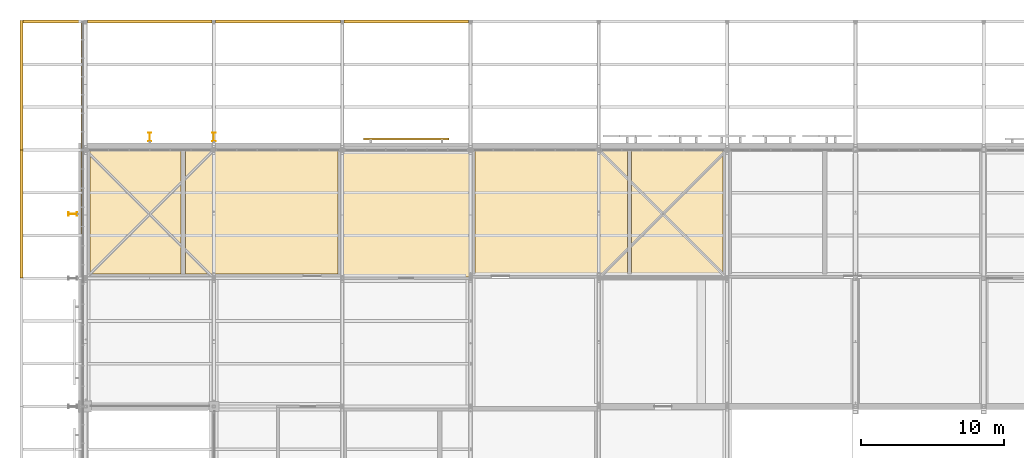
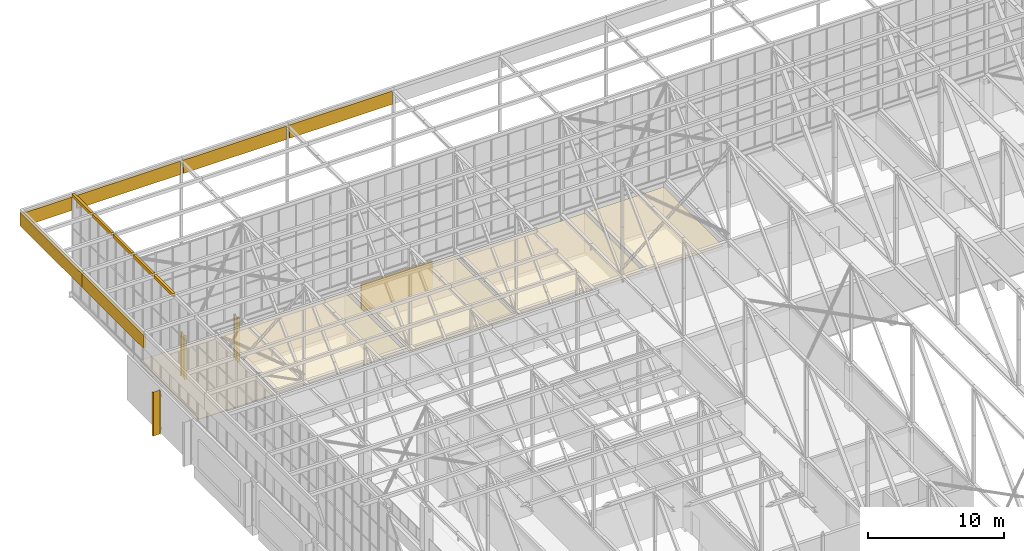
# One storey, part 642 of 646: 16 coverings, 4 shading devices.
"""IFC4 building model written with IfcOpenShell, lengths in metres."""

import ifcopenshell
import ifcopenshell.guid

model = None  # the IFC model being written
_history = None  # IfcOwnerHistory: only IFC2X3 demands one
_inside = {}  # id of a spatial element -> (the spatial element, [elements in it])
_under = {}  # id of a project, library or spatial element -> (it, [spatial elements below it])
_declared = {}  # id of a project -> (the project, [libraries it declares])
_typed = {}  # id of a type object -> (the type object, [elements of that type])
_made_of = {}  # id of a material, layer set ... -> (it, [elements and type objects made of it])


def new_model(schema):
    """Start an empty IFC model of exactly this schema.

    Asked for "IFC4X3", IfcOpenShell would pick the latest addendum, in which some entities
    have other attributes; the version numbers below select the first issue.
    IFC2X3 requires an IfcOwnerHistory on every rooted entity: one is made here for all.
    """
    global model, _history
    if schema == "IFC4X3":
        model = ifcopenshell.file(schema_version=(4, 3, 0, 0))
    else:
        model = ifcopenshell.file(schema=schema)
    _inside.clear()
    _under.clear()
    _declared.clear()
    _typed.clear()
    _made_of.clear()
    _history = None
    if model.schema == "IFC2X3":
        org = make("IfcOrganization", Name="unknown")
        user = make(
            "IfcPersonAndOrganization",
            ThePerson=make("IfcPerson", FamilyName="unknown"),
            TheOrganization=org,
        )
        app = make(
            "IfcApplication",
            ApplicationDeveloper=org,
            Version="unknown",
            ApplicationFullName="unknown",
            ApplicationIdentifier="unknown",
        )
        _history = make(
            "IfcOwnerHistory",
            OwningUser=user,
            OwningApplication=app,
            ChangeAction="ADDED",
            CreationDate=0,
        )
    return model


def make(cls, **values):
    """One entity of the class cls with the attributes given. An attribute that is None is left unset."""
    return model.create_entity(
        cls, **{name: value for name, value in values.items() if value is not None}
    )


def rooted(cls, **values):
    """An entity with a GlobalId (a new one), such as an element, a storey or a relation."""
    return make(cls, GlobalId=ifcopenshell.guid.new(), OwnerHistory=_history, **values)


def si_unit(unit_type, name, prefix=None):
    """IfcSIUnit, for example si_unit("LENGTHUNIT", "METRE", prefix="MILLI")."""
    return make("IfcSIUnit", UnitType=unit_type, Prefix=prefix, Name=name)


def assignment(units):
    """IfcUnitAssignment: the units of a project."""
    return None if units is None else make("IfcUnitAssignment", Units=units)


def point(xyz):
    """IfcCartesianPoint."""
    return None if xyz is None else make("IfcCartesianPoint", Coordinates=xyz)


def direction(xyz):
    """IfcDirection."""
    return None if xyz is None else make("IfcDirection", DirectionRatios=xyz)


def frame(location, z_axis=None, x_axis=None):
    """IfcAxis2Placement3D, a coordinate frame: its origin and axes. An axis left out is left unset."""
    return make(
        "IfcAxis2Placement3D",
        Location=point(location),
        Axis=direction(z_axis),
        RefDirection=direction(x_axis),
    )


def frame_2d(location, x_axis=None):
    """IfcAxis2Placement2D, a coordinate frame in the plane: its origin and x axis."""
    return make(
        "IfcAxis2Placement2D", Location=point(location), RefDirection=direction(x_axis)
    )


def origin():
    """The frame at (0, 0, 0) with its axes left unset."""
    return frame((0.0, 0.0, 0.0))


def origin_2d():
    """The frame at (0, 0) in the plane with its x axis left unset."""
    return frame_2d((0.0, 0.0))


def place(relative_to, where):
    """IfcLocalPlacement: puts the frame where relative to a parent placement (None: the world)."""
    return make(
        "IfcLocalPlacement", PlacementRelTo=relative_to, RelativePlacement=where
    )


def context(
    kind, dimensions, precision=None, world=None, true_north=None, identifier=None
):
    """IfcGeometricRepresentationContext, for example the 3D "Model" context."""
    return make(
        "IfcGeometricRepresentationContext",
        ContextIdentifier=identifier,
        ContextType=kind,
        CoordinateSpaceDimension=dimensions,
        Precision=precision,
        WorldCoordinateSystem=world,
        TrueNorth=true_north,
    )


def subcontext(parent, identifier, kind, view, scale=None):
    """IfcGeometricRepresentationSubContext, for example "Body" below "Model"."""
    return make(
        "IfcGeometricRepresentationSubContext",
        ContextIdentifier=identifier,
        ContextType=kind,
        ParentContext=parent,
        TargetScale=scale,
        TargetView=view,
    )


def project(units=None, contexts=None):
    """IfcProject with its units and contexts."""
    return rooted(
        "IfcProject",
        Name="project",
        RepresentationContexts=contexts,
        UnitsInContext=assignment(units),
    )


def spatial(cls, under=None, at=None, **own):
    """A site, building, storey or space (cls), placed at a placement, below another one or the project."""
    s = rooted(cls, ObjectPlacement=at, **own)
    if under is not None:
        _under.setdefault(under.id(), (under, []))[1].append(s)
    return s


def polyline(points):
    """IfcPolyline through the points."""
    return make("IfcPolyline", Points=[point(p) for p in points])


def profile(cls, at=None, kind="AREA", **sizes):
    """A parametric profile (cls). Its sizes go by their IFC names, for example OverallWidth=200.0."""
    return make(cls, ProfileType=kind, Position=at, **sizes)


def rectangle(**sizes):
    """IfcRectangleProfileDef."""
    return profile("IfcRectangleProfileDef", **sizes)


def i_section(**sizes):
    """IfcIShapeProfileDef."""
    return profile("IfcIShapeProfileDef", **sizes)


def outline(outer, holes=None, kind="AREA"):
    """IfcArbitraryClosedProfileDef: a profile drawn as a closed curve; with holes, ...WithVoids."""
    if holes is None:
        return make("IfcArbitraryClosedProfileDef", ProfileType=kind, OuterCurve=outer)
    return make(
        "IfcArbitraryProfileDefWithVoids",
        ProfileType=kind,
        OuterCurve=outer,
        InnerCurves=holes,
    )


def extrude(swept, where, along, depth):
    """IfcExtrudedAreaSolid: the profile swept, set in the frame where, extruded along a direction by depth."""
    return make(
        "IfcExtrudedAreaSolid",
        SweptArea=swept,
        Position=where,
        ExtrudedDirection=direction(along),
        Depth=depth,
    )


def shape(context_of_items, identifier, shape_type, items):
    """IfcShapeRepresentation: the items that make up one representation, for example the "Body"."""
    return make(
        "IfcShapeRepresentation",
        ContextOfItems=context_of_items,
        RepresentationIdentifier=identifier,
        RepresentationType=shape_type,
        Items=items,
    )


def material(Name=None, Category=None):
    """IfcMaterial."""
    return make("IfcMaterial", Name=Name, Category=Category)


def layer(
    of_material, thickness, ventilated=None, Name=None, Category=None, Priority=None
):
    """IfcMaterialLayer: one layer of a wall or slab, of a material (None: an air gap)."""
    return make(
        "IfcMaterialLayer",
        Material=of_material,
        LayerThickness=thickness,
        IsVentilated=ventilated,
        Name=Name,
        Category=Category,
        Priority=Priority,
    )


def layer_set(layers, Name=None):
    """IfcMaterialLayerSet."""
    return make("IfcMaterialLayerSet", MaterialLayers=layers, LayerSetName=Name)


def material_profile(
    of_material, cross_section, Name=None, Category=None, Priority=None
):
    """IfcMaterialProfile: a cross section and its material."""
    return make(
        "IfcMaterialProfile",
        Name=Name,
        Material=of_material,
        Profile=cross_section,
        Priority=Priority,
        Category=Category,
    )


def profile_set(profiles, Name=None, composite=None):
    """IfcMaterialProfileSet."""
    return make(
        "IfcMaterialProfileSet",
        Name=Name,
        MaterialProfiles=profiles,
        CompositeProfile=composite,
    )


def made_of(thing, what):
    """Note that an element or type object is made of a material, layer set ...; save() writes the relation."""
    if what is not None:
        _made_of.setdefault(what.id(), (what, []))[1].append(thing)
    return thing


def type_object(cls, material=None, **own):
    """A type object (cls), such as IfcWallType, which elements share."""
    return made_of(rooted(cls, **own), material)


def element(
    cls,
    number,
    at=None,
    inside=None,
    cuts=None,
    type_object=None,
    material=None,
    context=None,
    identifier="Body",
    shape_type=None,
    held_by="IfcProductDefinitionShape",
    body=None,
    shapes=None,
    **own,
):
    """One element of the class cls, such as IfcWall. Its Tag is "e" and its number.

    at: its placement. inside: the storey or other place that contains it. cuts: it is an
    opening in that element (IfcRelVoidsElement). A single representation is given by context,
    identifier, shape_type and body (its items); several are given by shapes. held_by: the class
    of the entity that holds the representations. save() writes the other relations.
    """
    e = rooted(cls, Tag="e%d" % number, ObjectPlacement=at, **own)
    if body is not None:
        shapes = [shape(context, identifier, shape_type, body)]
    if shapes is not None:
        e.Representation = make(held_by, Representations=shapes)
    if inside is not None:
        _inside.setdefault(inside.id(), (inside, []))[1].append(e)
    if cuts is not None:
        rooted(
            "IfcRelVoidsElement", RelatingBuildingElement=cuts, RelatedOpeningElement=e
        )
    if type_object is not None:
        _typed.setdefault(type_object.id(), (type_object, []))[1].append(e)
    return made_of(e, material)


def aggregate(whole, parts):
    """IfcRelAggregates: a whole, such as a stair, and the parts it consists of."""
    return rooted("IfcRelAggregates", RelatingObject=whole, RelatedObjects=parts)


def save(model, path):
    """Write the relations noted so far, then the file.

    IfcRelAggregates (storeys below a building ...), IfcRelContainedInSpatialStructure (elements
    in a storey), IfcRelDefinesByType, IfcRelAssociatesMaterial and IfcRelDeclares: one each for
    every whole, place, type object, material and project.
    """
    for whole, parts in _under.values():
        aggregate(whole, parts)
    for where, things in _inside.values():
        rooted(
            "IfcRelContainedInSpatialStructure",
            RelatedElements=things,
            RelatingStructure=where,
        )
    for kind, things in _typed.values():
        rooted("IfcRelDefinesByType", RelatedObjects=things, RelatingType=kind)
    for what, things in _made_of.values():
        rooted("IfcRelAssociatesMaterial", RelatedObjects=things, RelatingMaterial=what)
    for by, libraries in _declared.values():
        rooted("IfcRelDeclares", RelatingContext=by, RelatedDefinitions=libraries)
    model.write(path)


model = new_model("IFC4")

# Units and contexts
model_context = context("Model", 3, precision=1e-05, world=origin(), true_north=direction((0.0, 1.0)))
body_context = subcontext(model_context, "Body", "Model", "MODEL_VIEW")
ifc_project = project(units=[si_unit("LENGTHUNIT", "METRE"), si_unit("AREAUNIT", "SQUARE_METRE"), si_unit("VOLUMEUNIT", "CUBIC_METRE"), si_unit("PLANEANGLEUNIT", "RADIAN"), si_unit("MASSUNIT", "GRAM", prefix="KILO")], contexts=[model_context])

# Site, building, storey
site_placement = place(None, origin())
site = spatial("IfcSite", under=ifc_project, at=site_placement, CompositionType="ELEMENT")
building_placement = place(site_placement, origin())
building = spatial("IfcBuilding", under=site, at=building_placement, Name="Silverbay Arena", CompositionType="ELEMENT")
storey_placement = place(building_placement, frame((0.0, 0.0, 33.5)))
storey = spatial("IfcBuildingStorey", under=building, at=storey_placement, Name="L05", CompositionType="ELEMENT", Elevation=33.5)

# Coverings
ifc_material_1 = material(Name="Fire-resisting board ceiling")
ifc_layer_1 = layer(ifc_material_1, 0.050048828125)
ifc_layer_set_1 = layer_set([ifc_layer_1], Name="Fire-resisting board ceiling")
covering_type_1 = type_object("IfcCoveringType", Name="Fire-resisting ceiling EI 120", PredefinedType="CEILING", material=ifc_layer_set_1)
covering_1_placement = place(storey_placement, frame((0.0, 0.0, 3.5)))
element("IfcCovering", 1, at=covering_1_placement, inside=storey, type_object=covering_type_1, Name="Fire-resisting ceiling 20", PredefinedType="CEILING", context=body_context, shape_type="SweptSolid", body=[
    extrude(outline(polyline([(80.93994140625, 144.02001953125), (80.93994140625, 144.199951171875), (72.06005859375, 144.199951171875), (72.06005859375, 144.02001953125), (72.030029296875, 144.02001953125), (72.030029296875, 135.10009765625), (80.969970703125, 135.10009765625), (80.969970703125, 144.02001953125), (80.93994140625, 144.02001953125)])), origin(), (0.0, 0.0, 1.0), 0.050048828125),
])
covering_2_placement = place(storey_placement, frame((0.0, 0.0, 3.5)))
element("IfcCovering", 2, at=covering_2_placement, inside=storey, type_object=covering_type_1, Name="Fire-resisting ceiling 47", PredefinedType="CEILING", context=body_context, shape_type="SweptSolid", body=[
    extrude(outline(polyline([(81.300048828125, 144.0), (81.300048828125, 135.300048828125), (92.0, 135.300048828125), (92.0, 144.0), (81.300048828125, 144.0)])), origin(), (0.0, 0.0, 1.0), 0.050048828125),
])
covering_3_placement = place(storey_placement, frame((0.0, 0.0, 3.5)))
element("IfcCovering", 3, at=covering_3_placement, inside=storey, type_object=covering_type_1, Name="Fire-resisting ceiling 48", PredefinedType="CEILING", context=body_context, shape_type="SweptSolid", body=[
    extrude(outline(polyline([(92.300048828125, 144.0), (92.300048828125, 135.300048828125), (98.699951171875, 135.300048828125), (98.699951171875, 144.0), (92.300048828125, 144.0)])), origin(), (0.0, 0.0, 1.0), 0.050048828125),
])
covering_4_placement = place(storey_placement, frame((0.0, 0.0, 3.5)))
element("IfcCovering", 4, at=covering_4_placement, inside=storey, type_object=covering_type_1, Name="Fire-resisting ceiling 57", PredefinedType="CEILING", context=body_context, shape_type="SweptSolid", body=[
    extrude(outline(polyline([(61.0, 144.0), (61.0, 135.300048828125), (71.699951171875, 135.300048828125), (71.699951171875, 144.0), (61.0, 144.0)])), origin(), (0.0, 0.0, 1.0), 0.050048828125),
])
covering_5_placement = place(storey_placement, frame((0.0, 0.0, 3.5)))
element("IfcCovering", 5, at=covering_5_placement, inside=storey, type_object=covering_type_1, Name="Fire-resisting ceiling 58", PredefinedType="CEILING", context=body_context, shape_type="SweptSolid", body=[
    extrude(outline(polyline([(54.300048828125, 144.0), (54.300048828125, 135.300048828125), (60.699951171875, 135.300048828125), (60.699951171875, 144.0), (54.300048828125, 144.0)])), origin(), (0.0, 0.0, 1.0), 0.050048828125),
])
ifc_material_2 = material(Name="Insulated metal cladding panel")
ifc_layer_2 = layer(ifc_material_2, 0.199951171875)
ifc_layer_set_2 = layer_set([ifc_layer_2], Name="Insulated metal cladding panel")
covering_type_2 = type_object("IfcCoveringType", Name="Gable head closer 200", PredefinedType="CLADDING", material=ifc_layer_set_2)
covering_6_placement = place(storey_placement, frame((0.0, 0.0, 13.0)))
element("IfcCovering", 6, at=covering_6_placement, inside=storey, type_object=covering_type_2, Name="ROOF GABLE HEAD CLOSER west 44", PredefinedType="CLADDING", context=body_context, shape_type="SweptSolid", body=[
    extrude(outline(polyline([(53.68994140625, 138.10009765625), (53.889892578125, 138.10009765625), (53.889892578125, 140.89990234375), (53.68994140625, 140.89990234375), (53.68994140625, 138.10009765625)])), origin(), (0.0, 0.0, 1.0), 0.300048828125),
])
covering_7_placement = place(storey_placement, frame((0.0, 0.0, 13.0)))
element("IfcCovering", 7, at=covering_7_placement, inside=storey, type_object=covering_type_2, Name="ROOF GABLE HEAD CLOSER west 45", PredefinedType="CLADDING", context=body_context, shape_type="SweptSolid", body=[
    extrude(outline(polyline([(53.68994140625, 141.10009765625), (53.889892578125, 141.10009765625), (53.889892578125, 143.89990234375), (53.68994140625, 143.89990234375), (53.68994140625, 141.10009765625)])), origin(), (0.0, 0.0, 1.0), 0.300048828125),
])
covering_8_placement = place(storey_placement, frame((0.0, 0.0, 13.0)))
element("IfcCovering", 8, at=covering_8_placement, inside=storey, type_object=covering_type_2, Name="ROOF GABLE HEAD CLOSER west 46", PredefinedType="CLADDING", context=body_context, shape_type="SweptSolid", body=[
    extrude(outline(polyline([(53.68994140625, 144.10009765625), (53.889892578125, 144.10009765625), (53.889892578125, 146.89990234375), (53.68994140625, 146.89990234375), (53.68994140625, 144.10009765625)])), origin(), (0.0, 0.0, 1.0), 0.300048828125),
])
covering_9_placement = place(storey_placement, frame((0.0, 0.0, 13.0)))
element("IfcCovering", 9, at=covering_9_placement, inside=storey, type_object=covering_type_2, Name="ROOF GABLE HEAD CLOSER west 47", PredefinedType="CLADDING", context=body_context, shape_type="SweptSolid", body=[
    extrude(outline(polyline([(53.68994140625, 147.10009765625), (53.889892578125, 147.10009765625), (53.889892578125, 149.89990234375), (53.68994140625, 149.89990234375), (53.68994140625, 147.10009765625)])), origin(), (0.0, 0.0, 1.0), 0.300048828125),
])
covering_10_placement = place(storey_placement, frame((0.0, 0.0, 13.0)))
element("IfcCovering", 10, at=covering_10_placement, inside=storey, type_object=covering_type_2, Name="ROOF GABLE HEAD CLOSER west 48", PredefinedType="CLADDING", context=body_context, shape_type="SweptSolid", body=[
    extrude(outline(polyline([(53.68994140625, 150.10009765625), (53.889892578125, 150.10009765625), (53.889892578125, 152.89990234375), (53.68994140625, 152.89990234375), (53.68994140625, 150.10009765625)])), origin(), (0.0, 0.0, 1.0), 0.300048828125),
])

# Shading device
ifc_material_3 = material(Name="Aluminium", Category="aluminium")
shading_device_type_1 = type_object("IfcShadingDeviceType", Name="Louvre screen 6000 x 2400", PredefinedType="JALOUSIE", material=ifc_material_3)
shading_device_placement = place(storey_placement, frame((76.5, 144.77490234375, 0.800048828125), z_axis=(0.0, 0.0, 1.0), x_axis=(1.0, 0.0, 0.0)))
element("IfcShadingDevice", 11, at=shading_device_placement, inside=storey, type_object=shading_device_type_1, Name="North plant louvre L05 bay 3", PredefinedType="JALOUSIE", context=body_context, shape_type="SweptSolid", body=[
    extrude(rectangle(XDim=6.0, YDim=0.14990234375, at=origin_2d()), origin(), (0.0, 0.0, 1.0), 2.39990234375),
])

# Coverings
ifc_material_4 = material(Name="Insulated metal cladding panel")
ifc_layer_3 = layer(ifc_material_4, 0.199951171875)
ifc_layer_set_3 = layer_set([ifc_layer_3], Name="Insulated metal cladding panel")
covering_type_3 = type_object("IfcCoveringType", Name="Roof edge fascia 200", PredefinedType="CLADDING", material=ifc_layer_set_3)
covering_11_placement = place(storey_placement, frame((0.0, 0.0, 11.800048828125)))
element("IfcCovering", 12, at=covering_11_placement, inside=storey, type_object=covering_type_3, Name="ROOF EDGE FASCIA north bay 01", PredefinedType="CLADDING", context=body_context, shape_type="SweptSolid", body=[
    extrude(outline(polyline([(54.127197265625, 152.89990234375), (62.872802734375, 152.89990234375), (62.872802734375, 153.10009765625), (54.127197265625, 153.10009765625), (54.127197265625, 152.89990234375)])), origin(), (0.0, 0.0, 1.0), 1.199951171875),
])
covering_12_placement = place(storey_placement, frame((0.0, 0.0, 11.800048828125)))
element("IfcCovering", 13, at=covering_12_placement, inside=storey, type_object=covering_type_3, Name="ROOF EDGE FASCIA north bay 02", PredefinedType="CLADDING", context=body_context, shape_type="SweptSolid", body=[
    extrude(outline(polyline([(63.127197265625, 152.89990234375), (71.872802734375, 152.89990234375), (71.872802734375, 153.10009765625), (63.127197265625, 153.10009765625), (63.127197265625, 152.89990234375)])), origin(), (0.0, 0.0, 1.0), 1.199951171875),
])
covering_13_placement = place(storey_placement, frame((0.0, 0.0, 11.800048828125)))
element("IfcCovering", 14, at=covering_13_placement, inside=storey, type_object=covering_type_3, Name="ROOF EDGE FASCIA north bay 03", PredefinedType="CLADDING", context=body_context, shape_type="SweptSolid", body=[
    extrude(outline(polyline([(72.127197265625, 152.89990234375), (80.872802734375, 152.89990234375), (80.872802734375, 153.10009765625), (72.127197265625, 153.10009765625), (72.127197265625, 152.89990234375)])), origin(), (0.0, 0.0, 1.0), 1.199951171875),
])
covering_14_placement = place(storey_placement, frame((0.0, 0.0, 11.800048828125)))
element("IfcCovering", 15, at=covering_14_placement, inside=storey, type_object=covering_type_3, Name="ROOF EDGE FASCIA west bay 15", PredefinedType="CLADDING", context=body_context, shape_type="SweptSolid", body=[
    extrude(outline(polyline([(49.39990234375, 135.0), (49.60009765625, 135.0), (49.60009765625, 144.0), (49.39990234375, 144.0), (49.39990234375, 135.0)])), origin(), (0.0, 0.0, 1.0), 1.199951171875),
])
covering_15_placement = place(storey_placement, frame((0.0, 0.0, 11.800048828125)))
element("IfcCovering", 16, at=covering_15_placement, inside=storey, type_object=covering_type_3, Name="ROOF EDGE FASCIA west bay 16", PredefinedType="CLADDING", context=body_context, shape_type="SweptSolid", body=[
    extrude(outline(polyline([(49.39990234375, 144.0), (49.60009765625, 144.0), (49.60009765625, 153.10009765625), (49.39990234375, 153.10009765625), (49.39990234375, 144.0)])), origin(), (0.0, 0.0, 1.0), 1.199951171875),
])
covering_16_placement = place(storey_placement, frame((0.0, 0.0, 11.800048828125)))
element("IfcCovering", 17, at=covering_16_placement, inside=storey, type_object=covering_type_3, Name="ROOF EDGE FASCIA north west return", PredefinedType="CLADDING", context=body_context, shape_type="SweptSolid", body=[
    extrude(outline(polyline([(49.60009765625, 152.89990234375), (53.68994140625, 152.89990234375), (53.68994140625, 153.10009765625), (49.60009765625, 153.10009765625), (49.60009765625, 152.89990234375)])), origin(), (0.0, 0.0, 1.0), 1.199951171875),
])

# Shading devices
ifc_material_5 = material(Name="Steel S355", Category="steel")
ifc_material_profile = material_profile(ifc_material_5, i_section(OverallWidth=0.2275390625, OverallDepth=0.6025390625, WebThickness=0.010498046875, FlangeThickness=0.014892578125, at=origin_2d()), Name="UB 610x229x101")
ifc_profile_set = profile_set([ifc_material_profile], Name="Steel S355")
shading_device_type_2 = type_object("IfcShadingDeviceType", Name="Steel fin UB 610x229x101", PredefinedType="USERDEFINED", material=ifc_profile_set)
for number, where, z_axis, x_axis, name in (
    (18, (58.5, 144.9013671875, 0.0), (0.0, 0.0, 1.0), (1.0, 0.0, 0.0), "Steel fin N L05 1"),
    (19, (63.0, 144.9013671875, 0.0), (0.0, 0.0, 1.0), (1.0, 0.0, 0.0), "Steel fin N L05 2"),
    (20, (53.0986328125, 139.5, 0.0), (0.0, 0.0, 1.0), (0.0, 1.0, 0.0), "Steel fin W L05 27"),
):
    element("IfcShadingDevice", number, at=place(storey_placement, frame(where, z_axis=z_axis, x_axis=x_axis)), inside=storey, type_object=shading_device_type_2, Name=name, ObjectType="FIN", PredefinedType="USERDEFINED", context=body_context, shape_type="SweptSolid", body=[
        extrude(i_section(OverallWidth=0.2275390625, OverallDepth=0.6025390625, WebThickness=0.010498046875, FlangeThickness=0.014892578125, at=origin_2d()), origin(), (0.0, 0.0, 1.0), 3.93994140625),
    ])

save(model, "model.ifc")
